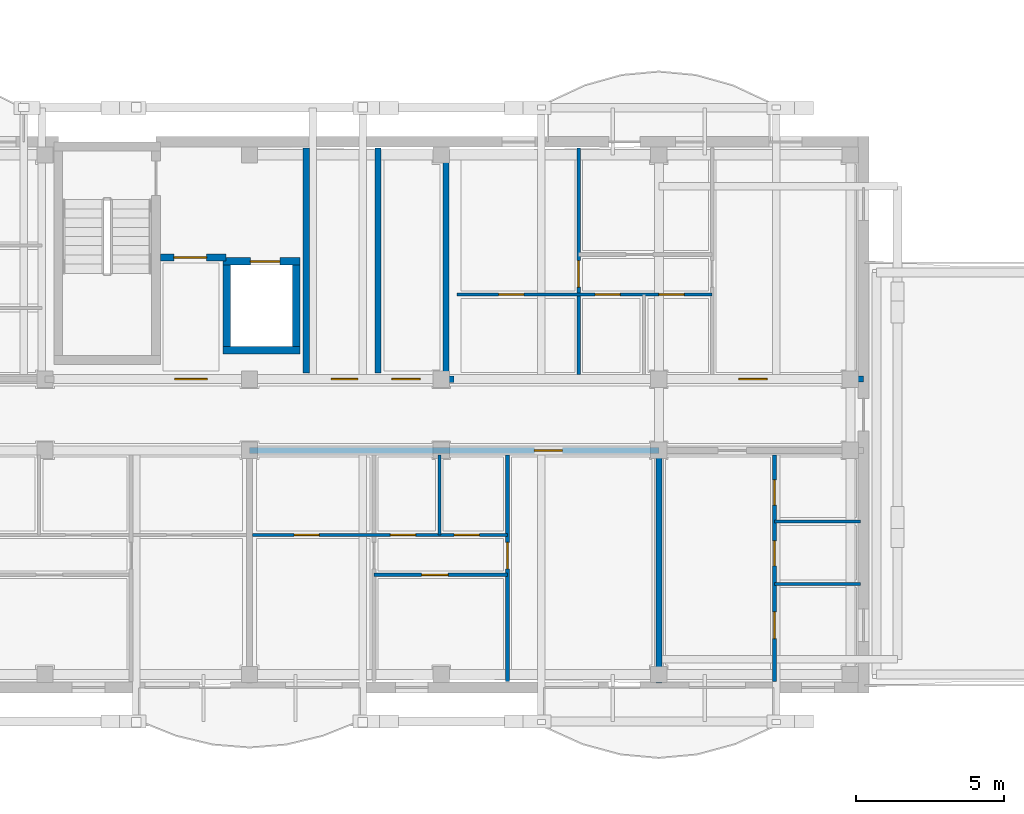
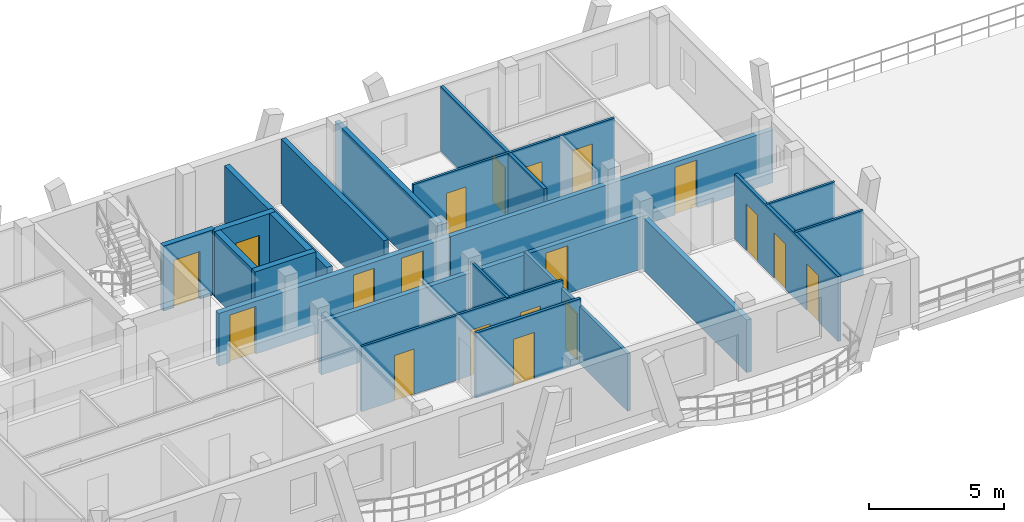
# One storey, part 67 of 109: 21 walls, 19 doors, 19 openings.
"""IFC4 building model written with IfcOpenShell, lengths in metres."""

from ifc_helpers import new_model, si_unit, direction, frame, frame_2d, origin, origin_with_axes, place, context, subcontext, project, spatial, rectangle, extrude, material, layer, layer_set, type_object, element, fill, save


model = new_model("IFC4")

# Units and contexts
model_context = context("Model", 3, precision=1e-05, world=origin(), true_north=direction((0.0, 1.0)))
body_context = subcontext(model_context, "Body", "Model", "MODEL_VIEW")
ifc_project = project(units=[si_unit("LENGTHUNIT", "METRE"), si_unit("AREAUNIT", "SQUARE_METRE"), si_unit("VOLUMEUNIT", "CUBIC_METRE"), si_unit("PLANEANGLEUNIT", "RADIAN"), si_unit("MASSUNIT", "GRAM", prefix="KILO")], contexts=[model_context])

# Site, building, storey
site_placement = place(None, origin())
site = spatial("IfcSite", under=ifc_project, at=site_placement, CompositionType="ELEMENT")
building_placement = place(site_placement, origin())
building = spatial("IfcBuilding", under=site, at=building_placement, Name="Zavelmont Quarter", CompositionType="ELEMENT")
storey_placement = place(building_placement, frame((0.0, 0.0, 8.0)))
storey = spatial("IfcBuildingStorey", under=building, at=storey_placement, Name="L02", CompositionType="ELEMENT", Elevation=8.0)

# Walls
ifc_material_1 = material(Name="Calcium-silicate blockwork and acoustic plaster", Category="masonry")
ifc_layer_1 = layer(ifc_material_1, 0.199951171875)
ifc_layer_set_1 = layer_set([ifc_layer_1], Name="Calcium-silicate blockwork and acoustic plaster")
wall_type_1 = type_object("IfcWallType", Name="IW01", PredefinedType="PARTITIONING", material=ifc_layer_set_1)
for number, where, z_axis, x_axis, name in (
    (1, (38.824951171875, 10.60009765625, 0.0), (0.0, 0.0, 1.0), (0.0, 1.0, 0.0), "L02 Service riser divider wall IW01"),
    (2, (41.1201171875, 10.60009765625, 0.0), (0.0, 0.0, 1.0), (0.0, 1.0, 0.0), "L02 Core service end wall IW01"),
):
    element("IfcWall", number, at=place(storey_placement, frame(where, z_axis=z_axis, x_axis=x_axis)), inside=storey, type_object=wall_type_1, Name=name, PredefinedType="PARTITIONING", context=body_context, shape_type="SweptSolid", body=[
        extrude(rectangle(XDim=7.599853515625, YDim=0.199951171875, at=frame_2d((3.7998046875, 0.0))), origin(), (0.0, 0.0, 1.0), 2.93994140625),
    ])
wall_1_placement = place(storey_placement, frame((48.300048828125, 7.85009765625, 0.0), z_axis=(0.0, 0.0, 1.0), x_axis=(0.0, -1.0, 0.0)))
element("IfcWall", 3, at=wall_1_placement, inside=storey, type_object=wall_type_1, Name="L02 Inter-dwelling compartment wall IW01", PredefinedType="PARTITIONING", context=body_context, shape_type="SweptSolid", body=[
    extrude(rectangle(XDim=7.7001953125, YDim=0.199951171875, at=frame_2d((3.85009765625, 0.0))), origin(), (0.0, 0.0, 1.0), 2.3798828125),
])

# Wall, opening, door
wall_2_placement = place(storey_placement, frame((34.5, 8.0, 0.0), z_axis=(0.0, 0.0, 1.0), x_axis=(1.0, 0.0, 0.0)))
wall_2 = element("IfcWall", 4, at=wall_2_placement, inside=storey, type_object=wall_type_1, Name="L02 Corridor compartment wall IW01", PredefinedType="PARTITIONING", context=body_context, shape_type="SweptSolid", body=[
    extrude(rectangle(XDim=13.800048828125, YDim=0.199951171875, at=frame_2d((6.89990234375, 0.0))), origin(), (0.0, 0.0, 1.0), 2.3798828125),
])
opening_1_placement = place(wall_2_placement, frame((9.60009765625, 0.0, 0.0)))
opening_1 = element("IfcOpeningElement", 5, at=opening_1_placement, cuts=wall_2, Name="Opening DR02", PredefinedType="OPENING", context=body_context, shape_type="SweptSolid", body=[
    extrude(rectangle(XDim=0.949951171875, YDim=2.14990234375, at=frame_2d((0.47509765625, 1.074951171875))), frame((0.0, 0.11181640625, 0.0), z_axis=(0.0, -1.0, 0.0), x_axis=(1.0, 0.0, 0.0)), (0.0, 0.0, 1.0), 0.223876953125),
])
ifc_material_2 = material(Name="Solid-core oak fire leaf in steel frame", Category="steel")
door_type_1 = type_object("IfcDoorType", Name="DR02", OperationType="NOTDEFINED", PredefinedType="DOOR", material=ifc_material_2)
door_1_placement = place(opening_1_placement, frame((0.949951171875, 0.0, 0.0), z_axis=(0.0, 0.0, 1.0), x_axis=(-1.0, 0.0, 0.0)))
door_1 = element("IfcDoor", 6, at=door_1_placement, inside=storey, type_object=door_type_1, Name="L02 door DR02", OperationType="SINGLE_SWING_LEFT", OverallHeight=2.14990234375, OverallWidth=0.949951171875, PredefinedType="DOOR", context=body_context, shape_type="SweptSolid", body=[
    extrude(rectangle(XDim=0.949951171875, YDim=2.14990234375, at=frame_2d((0.47509765625, 1.074951171875))), frame((0.0, 0.02490234375, 0.0), z_axis=(0.0, -1.0, 0.0), x_axis=(1.0, 0.0, 0.0)), (0.0, 0.0, 1.0), 0.050048828125),
])
fill(opening_1, door_1)

wall_3_placement = place(storey_placement, frame((41.39990234375, 10.39990234375, 0.0), z_axis=(0.0, 0.0, 1.0), x_axis=(1.0, 0.0, 0.0)))
wall_3 = element("IfcWall", 7, at=wall_3_placement, inside=storey, type_object=wall_type_1, Name="L02 Corridor compartment wall IW01", PredefinedType="PARTITIONING", context=body_context, shape_type="SweptSolid", body=[
    extrude(rectangle(XDim=13.800048828125, YDim=0.199951171875, at=frame_2d((6.89990234375, 0.0))), origin(), (0.0, 0.0, 1.0), 2.3798828125),
])
opening_2_placement = place(wall_3_placement, frame((9.60009765625, 0.0, 0.0)))
opening_2 = element("IfcOpeningElement", 8, at=opening_2_placement, cuts=wall_3, Name="Opening DR02", PredefinedType="OPENING", context=body_context, shape_type="SweptSolid", body=[
    extrude(rectangle(XDim=0.949951171875, YDim=2.14990234375, at=frame_2d((0.47509765625, 1.074951171875))), frame((0.0, 0.11181640625, 0.0), z_axis=(0.0, -1.0, 0.0), x_axis=(1.0, 0.0, 0.0)), (0.0, 0.0, 1.0), 0.223876953125),
])
door_2_placement = place(opening_2_placement, origin_with_axes())
door_2 = element("IfcDoor", 9, at=door_2_placement, inside=storey, type_object=door_type_1, Name="L02 door DR02", OperationType="SINGLE_SWING_RIGHT", OverallHeight=2.14990234375, OverallWidth=0.949951171875, PredefinedType="DOOR", context=body_context, shape_type="SweptSolid", body=[
    extrude(rectangle(XDim=0.949951171875, YDim=2.14990234375, at=frame_2d((0.47509765625, 1.074951171875))), frame((0.0, 0.02490234375, 0.0), z_axis=(0.0, -1.0, 0.0), x_axis=(1.0, 0.0, 0.0)), (0.0, 0.0, 1.0), 0.050048828125),
])
fill(opening_2, door_2)

# Wall
ifc_material_3 = material(Name="Reinforced masonry fire compartment wall", Category="masonry")
ifc_layer_2 = layer(ifc_material_3, 0.22509765625)
ifc_layer_set_2 = layer_set([ifc_layer_2], Name="Reinforced masonry fire compartment wall")
wall_type_2 = type_object("IfcWallType", Name="IW02", PredefinedType="PARTITIONING", material=ifc_layer_set_2)
wall_4_placement = place(storey_placement, frame((36.409912109375, 10.60009765625, 0.0), z_axis=(0.0, 0.0, 1.0), x_axis=(0.0, 1.0, 0.0)))
element("IfcWall", 10, at=wall_4_placement, inside=storey, type_object=wall_type_2, Name="L02 Firefighting lobby enclosure wall IW02", PredefinedType="PARTITIONING", context=body_context, shape_type="SweptSolid", body=[
    extrude(rectangle(XDim=7.599853515625, YDim=0.22509765625, at=frame_2d((3.7998046875, 0.0))), origin(), (0.0, 0.0, 1.0), 2.590087890625),
])

# Wall, opening, door
wall_5_placement = place(storey_placement, frame((31.5, 14.5, 0.0), z_axis=(0.0, 0.0, 1.0), x_axis=(1.0, 0.0, 0.0)))
wall_5 = element("IfcWall", 11, at=wall_5_placement, inside=storey, type_object=wall_type_2, Name="L02 Firefighting lobby threshold wall IW02", PredefinedType="PARTITIONING", context=body_context, shape_type="SweptSolid", body=[
    extrude(rectangle(XDim=2.199951171875, YDim=0.22509765625, at=frame_2d((1.10009765625, 0.0))), origin(), (0.0, 0.0, 1.0), 2.93994140625),
])
opening_3_placement = place(wall_5_placement, frame((0.449951171875, 0.0, 0.0)))
opening_3 = element("IfcOpeningElement", 12, at=opening_3_placement, cuts=wall_5, Name="Opening DR10", PredefinedType="OPENING", context=body_context, shape_type="SweptSolid", body=[
    extrude(rectangle(XDim=1.10009765625, YDim=2.14990234375, at=frame_2d((0.550048828125, 1.074951171875))), frame((0.0, 0.12451171875, 0.0), z_axis=(0.0, -1.0, 0.0), x_axis=(1.0, 0.0, 0.0)), (0.0, 0.0, 1.0), 0.2490234375),
])
ifc_material_4 = material(Name="Painted steel lobby fire door", Category="steel")
door_type_2 = type_object("IfcDoorType", Name="DR10", OperationType="NOTDEFINED", PredefinedType="DOOR", material=ifc_material_4)
door_3_placement = place(opening_3_placement, origin_with_axes())
door_3 = element("IfcDoor", 13, at=door_3_placement, inside=storey, type_object=door_type_2, Name="Firefighting lobby fire door", OperationType="SINGLE_SWING_LEFT", OverallHeight=2.14990234375, OverallWidth=1.10009765625, PredefinedType="DOOR", context=body_context, shape_type="SweptSolid", body=[
    extrude(rectangle(XDim=1.10009765625, YDim=2.14990234375, at=frame_2d((0.550048828125, 1.074951171875))), frame((0.0, 0.02490234375, 0.0), z_axis=(0.0, -1.0, 0.0), x_axis=(1.0, 0.0, 0.0)), (0.0, 0.0, 1.0), 0.050048828125),
])
fill(opening_3, door_3)

# Wall, openings, doors
wall_6_placement = place(storey_placement, frame((31.5, 10.39990234375, 0.0), z_axis=(0.0, 0.0, 1.0), x_axis=(1.0, 0.0, 0.0)))
wall_6 = element("IfcWall", 14, at=wall_6_placement, inside=storey, type_object=wall_type_2, Name="L02 Core corridor fire wall IW02", PredefinedType="PARTITIONING", context=body_context, shape_type="SweptSolid", body=[
    extrude(rectangle(XDim=9.89990234375, YDim=0.22509765625, at=frame_2d((4.949951171875, 0.0))), origin(), (0.0, 0.0, 1.0), 2.3798828125),
])
opening_4_placement = place(wall_6_placement, frame((0.47509765625, 0.0, 0.0)))
opening_4 = element("IfcOpeningElement", 15, at=opening_4_placement, cuts=wall_6, Name="Opening DR10", PredefinedType="OPENING", context=body_context, shape_type="SweptSolid", body=[
    extrude(rectangle(XDim=1.10009765625, YDim=2.14990234375, at=frame_2d((0.550048828125, 1.074951171875))), frame((0.0, 0.12451171875, 0.0), z_axis=(0.0, -1.0, 0.0), x_axis=(1.0, 0.0, 0.0)), (0.0, 0.0, 1.0), 0.2490234375),
])
opening_5_placement = place(wall_6_placement, frame((5.75, 0.0, 0.0)))
opening_5 = element("IfcOpeningElement", 16, at=opening_5_placement, cuts=wall_6, Name="Opening DR11", PredefinedType="OPENING", context=body_context, shape_type="SweptSolid", body=[
    extrude(rectangle(XDim=0.89990234375, YDim=2.10009765625, at=frame_2d((0.449951171875, 1.050048828125))), frame((0.0, 0.12451171875, 0.0), z_axis=(0.0, -1.0, 0.0), x_axis=(1.0, 0.0, 0.0)), (0.0, 0.0, 1.0), 0.2490234375),
])
opening_6_placement = place(wall_6_placement, frame((7.800048828125, 0.0, 0.0)))
opening_6 = element("IfcOpeningElement", 17, at=opening_6_placement, cuts=wall_6, Name="Opening DR02", PredefinedType="OPENING", context=body_context, shape_type="SweptSolid", body=[
    extrude(rectangle(XDim=0.949951171875, YDim=2.14990234375, at=frame_2d((0.47509765625, 1.074951171875))), frame((0.0, 0.12451171875, 0.0), z_axis=(0.0, -1.0, 0.0), x_axis=(1.0, 0.0, 0.0)), (0.0, 0.0, 1.0), 0.2490234375),
])
door_4_placement = place(opening_6_placement, frame((0.949951171875, 0.0, 0.0), z_axis=(0.0, 0.0, 1.0), x_axis=(-1.0, 0.0, 0.0)))
door_4 = element("IfcDoor", 18, at=door_4_placement, inside=storey, type_object=door_type_1, Name="Auxiliary store corridor door", OperationType="SINGLE_SWING_RIGHT", OverallHeight=2.14990234375, OverallWidth=0.949951171875, PredefinedType="DOOR", context=body_context, shape_type="SweptSolid", body=[
    extrude(rectangle(XDim=0.949951171875, YDim=2.14990234375, at=frame_2d((0.47509765625, 1.074951171875))), frame((0.0, 0.02490234375, 0.0), z_axis=(0.0, -1.0, 0.0), x_axis=(1.0, 0.0, 0.0)), (0.0, 0.0, 1.0), 0.050048828125),
])
fill(opening_6, door_4)
door_5_placement = place(opening_4_placement, origin_with_axes())
door_5 = element("IfcDoor", 19, at=door_5_placement, inside=storey, type_object=door_type_2, Name="Core vestibule fire door", OperationType="SINGLE_SWING_RIGHT", OverallHeight=2.14990234375, OverallWidth=1.10009765625, PredefinedType="DOOR", context=body_context, shape_type="SweptSolid", body=[
    extrude(rectangle(XDim=1.10009765625, YDim=2.14990234375, at=frame_2d((0.550048828125, 1.074951171875))), frame((0.0, 0.02490234375, 0.0), z_axis=(0.0, -1.0, 0.0), x_axis=(1.0, 0.0, 0.0)), (0.0, 0.0, 1.0), 0.050048828125),
])
fill(opening_4, door_5)
ifc_material_5 = material(Name="Painted steel service-riser fire door", Category="steel")
door_type_3 = type_object("IfcDoorType", Name="DR11", OperationType="NOTDEFINED", PredefinedType="DOOR", material=ifc_material_5)
door_6_placement = place(opening_5_placement, frame((0.89990234375, 0.0, 0.0), z_axis=(0.0, 0.0, 1.0), x_axis=(-1.0, 0.0, 0.0)))
door_6 = element("IfcDoor", 20, at=door_6_placement, inside=storey, type_object=door_type_3, Name="Service riser fire door", OperationType="SINGLE_SWING_LEFT", OverallHeight=2.10009765625, OverallWidth=0.89990234375, PredefinedType="DOOR", context=body_context, shape_type="SweptSolid", body=[
    extrude(rectangle(XDim=0.89990234375, YDim=2.10009765625, at=frame_2d((0.449951171875, 1.050048828125))), frame((0.0, 0.02490234375, 0.0), z_axis=(0.0, -1.0, 0.0), x_axis=(1.0, 0.0, 0.0)), (0.0, 0.0, 1.0), 0.050048828125),
])
fill(opening_5, door_6)

# Wall, opening, door
ifc_material_6 = material(Name="Double gypsum board on acoustic steel stud", Category="steel")
ifc_layer_3 = layer(ifc_material_6, 0.125)
ifc_layer_set_3 = layer_set([ifc_layer_3], Name="Double gypsum board on acoustic steel stud")
wall_type_3 = type_object("IfcWallType", Name="IW03", PredefinedType="PARTITIONING", material=ifc_layer_set_3)
wall_7_placement = place(storey_placement, frame((43.199951171875, 7.85009765625, 0.0), z_axis=(0.0, 0.0, 1.0), x_axis=(0.0, -1.0, 0.0)))
wall_7 = element("IfcWall", 21, at=wall_7_placement, inside=storey, type_object=wall_type_3, Name="L02 Partition IW03", PredefinedType="PARTITIONING", context=body_context, shape_type="SweptSolid", body=[
    extrude(rectangle(XDim=7.650146484375, YDim=0.125, at=frame_2d((3.8251953125, 0.0))), origin(), (0.0, 0.0, 1.0), 2.590087890625),
])
opening_7_placement = place(wall_7_placement, frame((2.949951171875, 0.0, 0.0)))
opening_7 = element("IfcOpeningElement", 22, at=opening_7_placement, cuts=wall_7, Name="Opening DR05", PredefinedType="OPENING", context=body_context, shape_type="SweptSolid", body=[
    extrude(rectangle(XDim=0.89990234375, YDim=2.10009765625, at=frame_2d((0.449951171875, 1.050048828125))), frame((0.0, 0.074462890625, 0.0), z_axis=(0.0, -1.0, 0.0), x_axis=(1.0, 0.0, 0.0)), (0.0, 0.0, 1.0), 0.14892578125),
])
ifc_material_7 = material(Name="Engineered oak flush interior door")
door_type_4 = type_object("IfcDoorType", Name="DR05", OperationType="NOTDEFINED", PredefinedType="DOOR", material=ifc_material_7)
door_7_placement = place(opening_7_placement, origin_with_axes())
door_7 = element("IfcDoor", 23, at=door_7_placement, inside=storey, type_object=door_type_4, Name="L02 door DR05", OperationType="SINGLE_SWING_LEFT", OverallHeight=2.10009765625, OverallWidth=0.89990234375, PredefinedType="DOOR", context=body_context, shape_type="SweptSolid", body=[
    extrude(rectangle(XDim=0.89990234375, YDim=2.10009765625, at=frame_2d((0.449951171875, 1.050048828125))), frame((0.0, 0.02490234375, 0.0), z_axis=(0.0, -1.0, 0.0), x_axis=(1.0, 0.0, 0.0)), (0.0, 0.0, 1.0), 0.050048828125),
])
fill(opening_7, door_7)

wall_8_placement = place(storey_placement, frame((38.699951171875, 3.800048828125, 0.0), z_axis=(0.0, 0.0, 1.0), x_axis=(1.0, 0.0, 0.0)))
wall_8 = element("IfcWall", 24, at=wall_8_placement, inside=storey, type_object=wall_type_3, Name="L02 Partition IW03", PredefinedType="PARTITIONING", context=body_context, shape_type="SweptSolid", body=[
    extrude(rectangle(XDim=4.5, YDim=0.125, at=frame_2d((2.25, 0.0))), origin(), (0.0, 0.0, 1.0), 2.93994140625),
])
opening_8_placement = place(wall_8_placement, frame((1.60009765625, 0.0, 0.0)))
opening_8 = element("IfcOpeningElement", 25, at=opening_8_placement, cuts=wall_8, Name="Opening DR05", PredefinedType="OPENING", context=body_context, shape_type="SweptSolid", body=[
    extrude(rectangle(XDim=0.89990234375, YDim=2.10009765625, at=frame_2d((0.449951171875, 1.050048828125))), frame((0.0, 0.074462890625, 0.0), z_axis=(0.0, -1.0, 0.0), x_axis=(1.0, 0.0, 0.0)), (0.0, 0.0, 1.0), 0.14892578125),
])
door_8_placement = place(opening_8_placement, frame((0.89990234375, 0.0, 0.0), z_axis=(0.0, 0.0, 1.0), x_axis=(-1.0, 0.0, 0.0)))
door_8 = element("IfcDoor", 26, at=door_8_placement, inside=storey, type_object=door_type_4, Name="L02 door DR05", OperationType="SINGLE_SWING_RIGHT", OverallHeight=2.10009765625, OverallWidth=0.89990234375, PredefinedType="DOOR", context=body_context, shape_type="SweptSolid", body=[
    extrude(rectangle(XDim=0.89990234375, YDim=2.10009765625, at=frame_2d((0.449951171875, 1.050048828125))), frame((0.0, 0.02490234375, 0.0), z_axis=(0.0, -1.0, 0.0), x_axis=(1.0, 0.0, 0.0)), (0.0, 0.0, 1.0), 0.050048828125),
])
fill(opening_8, door_8)

# Wall, openings, doors
wall_9_placement = place(storey_placement, frame((52.199951171875, 7.85009765625, 0.0), z_axis=(0.0, 0.0, 1.0), x_axis=(0.0, -1.0, 0.0)))
wall_9 = element("IfcWall", 27, at=wall_9_placement, inside=storey, type_object=wall_type_3, Name="L02 Partition IW03", PredefinedType="PARTITIONING", context=body_context, shape_type="SweptSolid", body=[
    extrude(rectangle(XDim=7.650146484375, YDim=0.125, at=frame_2d((3.8251953125, 0.0))), origin(), (0.0, 0.0, 1.0), 2.93994140625),
])
opening_9_placement = place(wall_9_placement, frame((0.85009765625, 0.0, 0.0)))
opening_9 = element("IfcOpeningElement", 28, at=opening_9_placement, cuts=wall_9, Name="Opening DR16", PredefinedType="OPENING", context=body_context, shape_type="SweptSolid", body=[
    extrude(rectangle(XDim=0.85009765625, YDim=2.10009765625, at=frame_2d((0.425048828125, 1.050048828125))), frame((0.0, 0.074462890625, 0.0), z_axis=(0.0, -1.0, 0.0), x_axis=(1.0, 0.0, 0.0)), (0.0, 0.0, 1.0), 0.14892578125),
])
opening_10_placement = place(wall_9_placement, frame((2.89990234375, 0.0, 0.0)))
opening_10 = element("IfcOpeningElement", 29, at=opening_10_placement, cuts=wall_9, Name="Opening DR06", PredefinedType="OPENING", context=body_context, shape_type="SweptSolid", body=[
    extrude(rectangle(XDim=0.85009765625, YDim=2.050048828125, at=frame_2d((0.425048828125, 1.02490234375))), frame((0.0, 0.074462890625, 0.0), z_axis=(0.0, -1.0, 0.0), x_axis=(1.0, 0.0, 0.0)), (0.0, 0.0, 1.0), 0.14892578125),
])
opening_11_placement = place(wall_9_placement, frame((5.300048828125, 0.0, 0.0)))
opening_11 = element("IfcOpeningElement", 30, at=opening_11_placement, cuts=wall_9, Name="Opening DR05", PredefinedType="OPENING", context=body_context, shape_type="SweptSolid", body=[
    extrude(rectangle(XDim=0.89990234375, YDim=2.10009765625, at=frame_2d((0.449951171875, 1.050048828125))), frame((0.0, 0.074462890625, 0.0), z_axis=(0.0, -1.0, 0.0), x_axis=(1.0, 0.0, 0.0)), (0.0, 0.0, 1.0), 0.14892578125),
])
door_9_placement = place(opening_11_placement, frame((0.89990234375, 0.0, 0.0), z_axis=(0.0, 0.0, 1.0), x_axis=(-1.0, 0.0, 0.0)))
door_9 = element("IfcDoor", 31, at=door_9_placement, inside=storey, type_object=door_type_4, Name="L02 door DR05", OperationType="SINGLE_SWING_LEFT", OverallHeight=2.10009765625, OverallWidth=0.89990234375, PredefinedType="DOOR", context=body_context, shape_type="SweptSolid", body=[
    extrude(rectangle(XDim=0.89990234375, YDim=2.10009765625, at=frame_2d((0.449951171875, 1.050048828125))), frame((0.0, 0.02490234375, 0.0), z_axis=(0.0, -1.0, 0.0), x_axis=(1.0, 0.0, 0.0)), (0.0, 0.0, 1.0), 0.050048828125),
])
fill(opening_11, door_9)
ifc_material_8 = material(Name="Moisture-resistant painted wet-room door")
door_type_5 = type_object("IfcDoorType", Name="DR06", OperationType="NOTDEFINED", PredefinedType="DOOR", material=ifc_material_8)
door_10_placement = place(opening_10_placement, origin_with_axes())
door_10 = element("IfcDoor", 32, at=door_10_placement, inside=storey, type_object=door_type_5, Name="L02 door DR06", OperationType="SINGLE_SWING_RIGHT", OverallHeight=2.050048828125, OverallWidth=0.85009765625, PredefinedType="DOOR", context=body_context, shape_type="SweptSolid", body=[
    extrude(rectangle(XDim=0.85009765625, YDim=2.050048828125, at=frame_2d((0.425048828125, 1.02490234375))), frame((0.0, 0.02490234375, 0.0), z_axis=(0.0, -1.0, 0.0), x_axis=(1.0, 0.0, 0.0)), (0.0, 0.0, 1.0), 0.050048828125),
])
fill(opening_10, door_10)
door_type_6 = type_object("IfcDoorType", Name="DR16", OperationType="NOTDEFINED", PredefinedType="DOOR", material=ifc_material_7)
door_11_placement = place(opening_9_placement, frame((0.85009765625, 0.0, 0.0), z_axis=(0.0, 0.0, 1.0), x_axis=(-1.0, 0.0, 0.0)))
door_11 = element("IfcDoor", 33, at=door_11_placement, inside=storey, type_object=door_type_6, Name="L02 door DR16", OperationType="SINGLE_SWING_LEFT", OverallHeight=2.10009765625, OverallWidth=0.85009765625, PredefinedType="DOOR", context=body_context, shape_type="SweptSolid", body=[
    extrude(rectangle(XDim=0.85009765625, YDim=2.10009765625, at=frame_2d((0.425048828125, 1.050048828125))), frame((0.0, 0.02490234375, 0.0), z_axis=(0.0, -1.0, 0.0), x_axis=(1.0, 0.0, 0.0)), (0.0, 0.0, 1.0), 0.050048828125),
])
fill(opening_9, door_11)

# Wall, opening, door
wall_10_placement = place(storey_placement, frame((45.60009765625, 10.550048828125, 0.0), z_axis=(0.0, 0.0, 1.0), x_axis=(0.0, 1.0, 0.0)))
wall_10 = element("IfcWall", 34, at=wall_10_placement, inside=storey, type_object=wall_type_3, Name="L02 Partition IW03", PredefinedType="PARTITIONING", context=body_context, shape_type="SweptSolid", body=[
    extrude(rectangle(XDim=7.64990234375, YDim=0.125, at=frame_2d((3.824951171875, 0.0))), origin(), (0.0, 0.0, 1.0), 2.93994140625),
])
opening_12_placement = place(wall_10_placement, frame((2.949951171875, 0.0, 0.0)))
opening_12 = element("IfcOpeningElement", 35, at=opening_12_placement, cuts=wall_10, Name="Opening DR05", PredefinedType="OPENING", context=body_context, shape_type="SweptSolid", body=[
    extrude(rectangle(XDim=0.89990234375, YDim=2.10009765625, at=frame_2d((0.449951171875, 1.050048828125))), frame((0.0, 0.074462890625, 0.0), z_axis=(0.0, -1.0, 0.0), x_axis=(1.0, 0.0, 0.0)), (0.0, 0.0, 1.0), 0.14892578125),
])
door_12_placement = place(opening_12_placement, origin_with_axes())
door_12 = element("IfcDoor", 36, at=door_12_placement, inside=storey, type_object=door_type_4, Name="L02 door DR05", OperationType="SINGLE_SWING_LEFT", OverallHeight=2.10009765625, OverallWidth=0.89990234375, PredefinedType="DOOR", context=body_context, shape_type="SweptSolid", body=[
    extrude(rectangle(XDim=0.89990234375, YDim=2.10009765625, at=frame_2d((0.449951171875, 1.050048828125))), frame((0.0, 0.02490234375, 0.0), z_axis=(0.0, -1.0, 0.0), x_axis=(1.0, 0.0, 0.0)), (0.0, 0.0, 1.0), 0.050048828125),
])
fill(opening_12, door_12)

# Wall
ifc_material_9 = material(Name="Moisture-resistant gypsum board on steel stud", Category="steel")
ifc_layer_4 = layer(ifc_material_9, 0.10009765625)
ifc_layer_set_4 = layer_set([ifc_layer_4], Name="Moisture-resistant gypsum board on steel stud")
wall_type_4 = type_object("IfcWallType", Name="IW04", PredefinedType="PARTITIONING", material=ifc_layer_set_4)
wall_11_placement = place(storey_placement, frame((40.89990234375, 7.85009765625, 0.0), z_axis=(0.0, 0.0, 1.0), x_axis=(0.0, -1.0, 0.0)))
element("IfcWall", 37, at=wall_11_placement, inside=storey, type_object=wall_type_4, Name="L02 Partition IW04", PredefinedType="PARTITIONING", context=body_context, shape_type="SweptSolid", body=[
    extrude(rectangle(XDim=2.7001953125, YDim=0.10009765625, at=frame_2d((1.35009765625, 0.0))), origin(), (0.0, 0.0, 1.0), 2.93994140625),
])

# Wall, openings, doors
wall_12_placement = place(storey_placement, frame((34.60009765625, 5.14990234375, 0.0), z_axis=(0.0, 0.0, 1.0), x_axis=(1.0, 0.0, 0.0)))
wall_12 = element("IfcWall", 38, at=wall_12_placement, inside=storey, type_object=wall_type_4, Name="L02 Partition IW04", PredefinedType="PARTITIONING", context=body_context, shape_type="SweptSolid", body=[
    extrude(rectangle(XDim=8.599853515625, YDim=0.10009765625, at=frame_2d((4.2998046875, 0.0))), origin(), (0.0, 0.0, 1.0), 2.93994140625),
])
opening_13_placement = place(wall_12_placement, frame((1.39990234375, 0.0, 0.0)))
opening_13 = element("IfcOpeningElement", 39, at=opening_13_placement, cuts=wall_12, Name="Opening DR06", PredefinedType="OPENING", context=body_context, shape_type="SweptSolid", body=[
    extrude(rectangle(XDim=0.85009765625, YDim=2.050048828125, at=frame_2d((0.425048828125, 1.02490234375))), frame((0.0, 0.06201171875, 0.0), z_axis=(0.0, -1.0, 0.0), x_axis=(1.0, 0.0, 0.0)), (0.0, 0.0, 1.0), 0.1240234375),
])
opening_14_placement = place(wall_12_placement, frame((4.64990234375, 0.0, 0.0)))
opening_14 = element("IfcOpeningElement", 40, at=opening_14_placement, cuts=wall_12, Name="Opening DR06", PredefinedType="OPENING", context=body_context, shape_type="SweptSolid", body=[
    extrude(rectangle(XDim=0.85009765625, YDim=2.050048828125, at=frame_2d((0.425048828125, 1.02490234375))), frame((0.0, 0.06201171875, 0.0), z_axis=(0.0, -1.0, 0.0), x_axis=(1.0, 0.0, 0.0)), (0.0, 0.0, 1.0), 0.1240234375),
])
opening_15_placement = place(wall_12_placement, frame((6.800048828125, 0.0, 0.0)))
opening_15 = element("IfcOpeningElement", 41, at=opening_15_placement, cuts=wall_12, Name="Opening DR16", PredefinedType="OPENING", context=body_context, shape_type="SweptSolid", body=[
    extrude(rectangle(XDim=0.85009765625, YDim=2.10009765625, at=frame_2d((0.425048828125, 1.050048828125))), frame((0.0, 0.06201171875, 0.0), z_axis=(0.0, -1.0, 0.0), x_axis=(1.0, 0.0, 0.0)), (0.0, 0.0, 1.0), 0.1240234375),
])
door_13_placement = place(opening_13_placement, origin_with_axes())
door_13 = element("IfcDoor", 42, at=door_13_placement, inside=storey, type_object=door_type_5, Name="L02 door DR06", OperationType="SINGLE_SWING_LEFT", OverallHeight=2.050048828125, OverallWidth=0.85009765625, PredefinedType="DOOR", context=body_context, shape_type="SweptSolid", body=[
    extrude(rectangle(XDim=0.85009765625, YDim=2.050048828125, at=frame_2d((0.425048828125, 1.02490234375))), frame((0.0, 0.02490234375, 0.0), z_axis=(0.0, -1.0, 0.0), x_axis=(1.0, 0.0, 0.0)), (0.0, 0.0, 1.0), 0.050048828125),
])
fill(opening_13, door_13)
door_14_placement = place(opening_14_placement, frame((0.85009765625, 0.0, 0.0), z_axis=(0.0, 0.0, 1.0), x_axis=(-1.0, 0.0, 0.0)))
door_14 = element("IfcDoor", 43, at=door_14_placement, inside=storey, type_object=door_type_5, Name="L02 door DR06", OperationType="SINGLE_SWING_RIGHT", OverallHeight=2.050048828125, OverallWidth=0.85009765625, PredefinedType="DOOR", context=body_context, shape_type="SweptSolid", body=[
    extrude(rectangle(XDim=0.85009765625, YDim=2.050048828125, at=frame_2d((0.425048828125, 1.02490234375))), frame((0.0, 0.02490234375, 0.0), z_axis=(0.0, -1.0, 0.0), x_axis=(1.0, 0.0, 0.0)), (0.0, 0.0, 1.0), 0.050048828125),
])
fill(opening_14, door_14)
door_15_placement = place(opening_15_placement, origin_with_axes())
door_15 = element("IfcDoor", 44, at=door_15_placement, inside=storey, type_object=door_type_6, Name="L02 door DR16", OperationType="SINGLE_SWING_LEFT", OverallHeight=2.10009765625, OverallWidth=0.85009765625, PredefinedType="DOOR", context=body_context, shape_type="SweptSolid", body=[
    extrude(rectangle(XDim=0.85009765625, YDim=2.10009765625, at=frame_2d((0.425048828125, 1.050048828125))), frame((0.0, 0.02490234375, 0.0), z_axis=(0.0, -1.0, 0.0), x_axis=(1.0, 0.0, 0.0)), (0.0, 0.0, 1.0), 0.050048828125),
])
fill(opening_15, door_15)

# Walls
for number, where, z_axis, x_axis, name in (
    (45, (52.199951171875, 5.60009765625, 0.0), (0.0, 0.0, 1.0), (1.0, 0.0, 0.0), "L02 Partition IW04"),
    (46, (52.199951171875, 3.5, 0.0), (0.0, 0.0, 1.0), (1.0, 0.0, 0.0), "L02 Partition IW04"),
):
    element("IfcWall", number, at=place(storey_placement, frame(where, z_axis=z_axis, x_axis=x_axis)), inside=storey, type_object=wall_type_4, Name=name, PredefinedType="PARTITIONING", context=body_context, shape_type="SweptSolid", body=[
        extrude(rectangle(XDim=2.900146484375, YDim=0.10009765625, at=frame_2d((1.4501953125, 0.0))), origin(), (0.0, 0.0, 1.0), 2.93994140625),
    ])

# Wall, openings, doors
wall_13_placement = place(storey_placement, frame((41.5, 13.25, 0.0), z_axis=(0.0, 0.0, 1.0), x_axis=(1.0, 0.0, 0.0)))
wall_13 = element("IfcWall", 47, at=wall_13_placement, inside=storey, type_object=wall_type_4, Name="L02 Partition IW04", PredefinedType="PARTITIONING", context=body_context, shape_type="SweptSolid", body=[
    extrude(rectangle(XDim=8.60009765625, YDim=0.10009765625, at=frame_2d((4.300048828125, 0.0))), origin(), (0.0, 0.0, 1.0), 2.93994140625),
])
opening_16_placement = place(wall_13_placement, frame((1.39990234375, 0.0, 0.0)))
opening_16 = element("IfcOpeningElement", 48, at=opening_16_placement, cuts=wall_13, Name="Opening DR06", PredefinedType="OPENING", context=body_context, shape_type="SweptSolid", body=[
    extrude(rectangle(XDim=0.85009765625, YDim=2.050048828125, at=frame_2d((0.425048828125, 1.02490234375))), frame((0.0, 0.06201171875, 0.0), z_axis=(0.0, -1.0, 0.0), x_axis=(1.0, 0.0, 0.0)), (0.0, 0.0, 1.0), 0.1240234375),
])
opening_17_placement = place(wall_13_placement, frame((4.64990234375, 0.0, 0.0)))
opening_17 = element("IfcOpeningElement", 49, at=opening_17_placement, cuts=wall_13, Name="Opening DR06", PredefinedType="OPENING", context=body_context, shape_type="SweptSolid", body=[
    extrude(rectangle(XDim=0.85009765625, YDim=2.050048828125, at=frame_2d((0.425048828125, 1.02490234375))), frame((0.0, 0.06201171875, 0.0), z_axis=(0.0, -1.0, 0.0), x_axis=(1.0, 0.0, 0.0)), (0.0, 0.0, 1.0), 0.1240234375),
])
opening_18_placement = place(wall_13_placement, frame((6.800048828125, 0.0, 0.0)))
opening_18 = element("IfcOpeningElement", 50, at=opening_18_placement, cuts=wall_13, Name="Opening DR16", PredefinedType="OPENING", context=body_context, shape_type="SweptSolid", body=[
    extrude(rectangle(XDim=0.85009765625, YDim=2.10009765625, at=frame_2d((0.425048828125, 1.050048828125))), frame((0.0, 0.06201171875, 0.0), z_axis=(0.0, -1.0, 0.0), x_axis=(1.0, 0.0, 0.0)), (0.0, 0.0, 1.0), 0.1240234375),
])
door_16_placement = place(opening_16_placement, frame((0.85009765625, 0.0, 0.0), z_axis=(0.0, 0.0, 1.0), x_axis=(-1.0, 0.0, 0.0)))
door_16 = element("IfcDoor", 51, at=door_16_placement, inside=storey, type_object=door_type_5, Name="L02 door DR06", OperationType="SINGLE_SWING_RIGHT", OverallHeight=2.050048828125, OverallWidth=0.85009765625, PredefinedType="DOOR", context=body_context, shape_type="SweptSolid", body=[
    extrude(rectangle(XDim=0.85009765625, YDim=2.050048828125, at=frame_2d((0.425048828125, 1.02490234375))), frame((0.0, 0.02490234375, 0.0), z_axis=(0.0, -1.0, 0.0), x_axis=(1.0, 0.0, 0.0)), (0.0, 0.0, 1.0), 0.050048828125),
])
fill(opening_16, door_16)
door_17_placement = place(opening_17_placement, origin_with_axes())
door_17 = element("IfcDoor", 52, at=door_17_placement, inside=storey, type_object=door_type_5, Name="L02 door DR06", OperationType="SINGLE_SWING_LEFT", OverallHeight=2.050048828125, OverallWidth=0.85009765625, PredefinedType="DOOR", context=body_context, shape_type="SweptSolid", body=[
    extrude(rectangle(XDim=0.85009765625, YDim=2.050048828125, at=frame_2d((0.425048828125, 1.02490234375))), frame((0.0, 0.02490234375, 0.0), z_axis=(0.0, -1.0, 0.0), x_axis=(1.0, 0.0, 0.0)), (0.0, 0.0, 1.0), 0.050048828125),
])
fill(opening_17, door_17)
door_18_placement = place(opening_18_placement, frame((0.85009765625, 0.0, 0.0), z_axis=(0.0, 0.0, 1.0), x_axis=(-1.0, 0.0, 0.0)))
door_18 = element("IfcDoor", 53, at=door_18_placement, inside=storey, type_object=door_type_6, Name="L02 door DR16", OperationType="SINGLE_SWING_RIGHT", OverallHeight=2.10009765625, OverallWidth=0.85009765625, PredefinedType="DOOR", context=body_context, shape_type="SweptSolid", body=[
    extrude(rectangle(XDim=0.85009765625, YDim=2.10009765625, at=frame_2d((0.425048828125, 1.050048828125))), frame((0.0, 0.02490234375, 0.0), z_axis=(0.0, -1.0, 0.0), x_axis=(1.0, 0.0, 0.0)), (0.0, 0.0, 1.0), 0.050048828125),
])
fill(opening_18, door_18)

# Wall, opening, door
ifc_material_10 = material(Name="Concrete C40/50", Category="concrete")
ifc_layer_5 = layer(ifc_material_10, 0.25)
ifc_layer_set_5 = layer_set([ifc_layer_5], Name="Concrete C40/50")
wall_type_5 = type_object("IfcWallType", Name="SW02", PredefinedType="SHEAR", material=ifc_layer_set_5)
wall_14_placement = place(storey_placement, frame((33.60009765625, 14.375, 0.0), z_axis=(0.0, 0.0, 1.0), x_axis=(1.0, 0.0, 0.0)))
wall_14 = element("IfcWall", 54, at=wall_14_placement, inside=storey, type_object=wall_type_5, Name="L02 Lift LF02 landing shaft wall SW02", PredefinedType="SHEAR", context=body_context, shape_type="SweptSolid", body=[
    extrude(rectangle(XDim=2.599853515625, YDim=0.25, at=frame_2d((1.2998046875, 0.0))), origin(), (0.0, 0.0, 1.0), 2.93994140625),
])
opening_19_placement = place(wall_14_placement, frame((0.925048828125, 0.0, 0.0)))
opening_19 = element("IfcOpeningElement", 55, at=opening_19_placement, cuts=wall_14, Name="Opening LD01", PredefinedType="OPENING", context=body_context, shape_type="SweptSolid", body=[
    extrude(rectangle(XDim=1.0, YDim=2.10009765625, at=frame_2d((0.5, 1.050048828125))), frame((0.0, 0.136962890625, 0.0), z_axis=(0.0, -1.0, 0.0), x_axis=(1.0, 0.0, 0.0)), (0.0, 0.0, 1.0), 0.27392578125),
])
ifc_material_11 = material(Name="Brushed stainless-steel automatic sliding landing door", Category="steel")
door_type_7 = type_object("IfcDoorType", Name="LD01", OperationType="SLIDING_TO_LEFT", PredefinedType="DOOR", material=ifc_material_11)
door_19_placement = place(opening_19_placement, origin_with_axes())
door_19 = element("IfcDoor", 56, at=door_19_placement, inside=storey, type_object=door_type_7, Name="Lift LF02 sliding landing door", OperationType="SLIDING_TO_LEFT", OverallHeight=2.10009765625, OverallWidth=1.0, PredefinedType="DOOR", context=body_context, shape_type="SweptSolid", body=[
    extrude(rectangle(XDim=1.0, YDim=2.10009765625, at=frame_2d((0.5, 1.050048828125))), frame((0.0, 0.02490234375, 0.0), z_axis=(0.0, -1.0, 0.0), x_axis=(1.0, 0.0, 0.0)), (0.0, 0.0, 1.0), 0.050048828125),
])
fill(opening_19, door_19)

# Walls
wall_15_placement = place(storey_placement, frame((33.60009765625, 11.375, 0.0), z_axis=(0.0, 0.0, 1.0), x_axis=(1.0, 0.0, 0.0)))
element("IfcWall", 57, at=wall_15_placement, inside=storey, type_object=wall_type_5, Name="L02 Lift LF02 back shaft wall SW02", PredefinedType="SHEAR", context=body_context, shape_type="SweptSolid", body=[
    extrude(rectangle(XDim=2.599853515625, YDim=0.25, at=frame_2d((1.2998046875, 0.0))), origin(), (0.0, 0.0, 1.0), 2.93994140625),
])
for number, where, z_axis, x_axis, name in (
    (58, (33.72509765625, 11.25, 0.0), (0.0, 0.0, 1.0), (0.0, 1.0, 0.0), "L02 Lift LF02 west shaft wall SW02"),
    (59, (36.074951171875, 11.25, 0.0), (0.0, 0.0, 1.0), (0.0, 1.0, 0.0), "L02 Lift LF02 east shaft wall SW02"),
):
    element("IfcWall", number, at=place(storey_placement, frame(where, z_axis=z_axis, x_axis=x_axis)), inside=storey, type_object=wall_type_5, Name=name, PredefinedType="SHEAR", context=body_context, shape_type="SweptSolid", body=[
        extrude(rectangle(XDim=3.25, YDim=0.25, at=frame_2d((1.625, 0.0))), origin(), (0.0, 0.0, 1.0), 2.93994140625),
    ])

save(model, "model.ifc")
